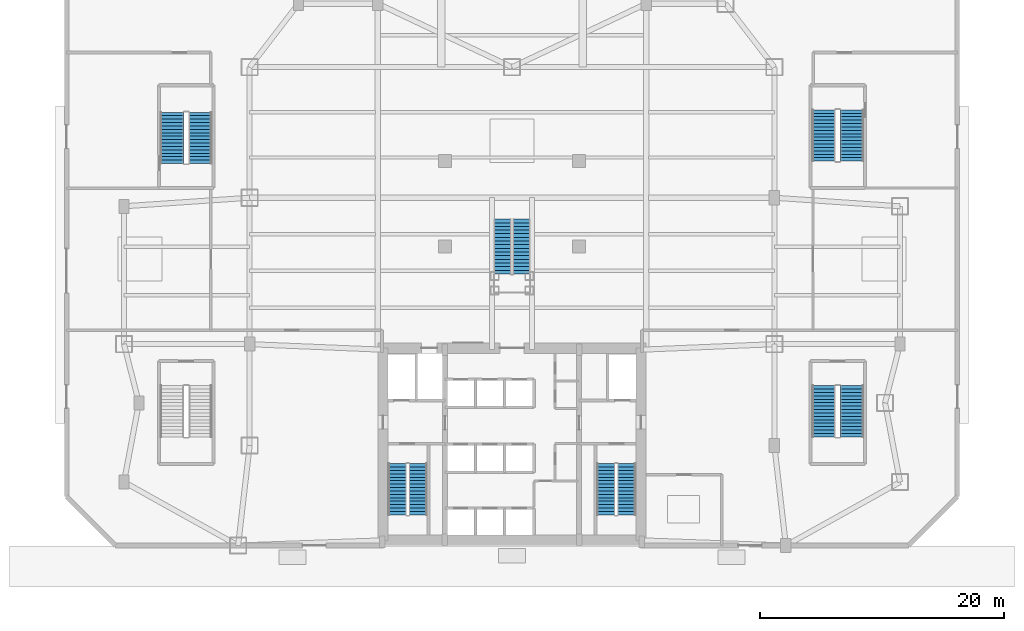
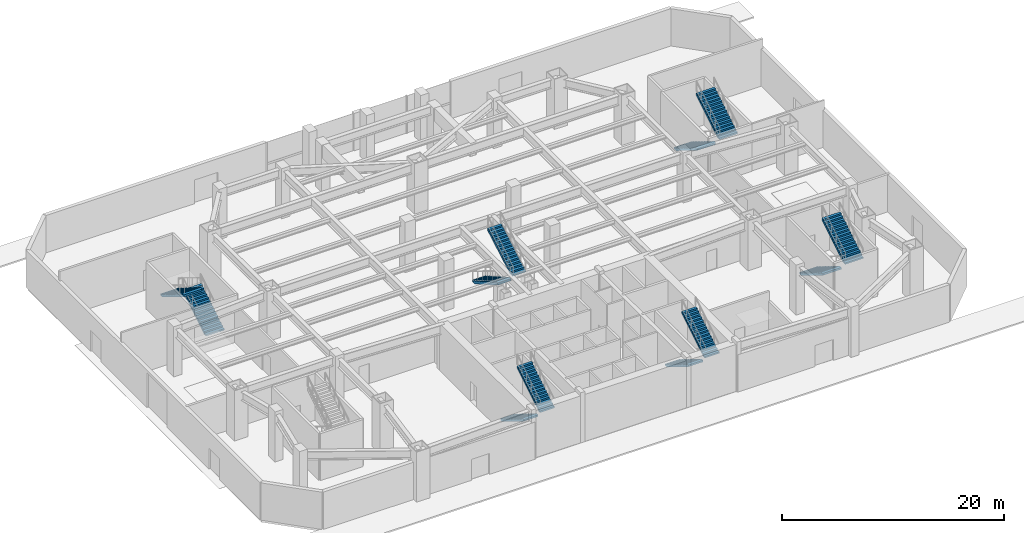
# One storey, part 8 of 11: 12 stair flights, 6 elements without a shape of their own.
"""IFC4 building model written with IfcOpenShell, lengths in metres."""

from ifc_helpers import new_model, si_unit, direction, frame, origin, place, context, subcontext, project, spatial, polyline, outline, extrude, material, type_object, element, aggregate, save


model = new_model("IFC4")

# Units and contexts
model_context = context("Model", 3, precision=1e-05, world=origin(), true_north=direction((0.0, 1.0)))
body_context = subcontext(model_context, "Body", "Model", "MODEL_VIEW")
ifc_project = project(units=[si_unit("LENGTHUNIT", "METRE"), si_unit("AREAUNIT", "SQUARE_METRE"), si_unit("VOLUMEUNIT", "CUBIC_METRE"), si_unit("PLANEANGLEUNIT", "RADIAN"), si_unit("MASSUNIT", "GRAM", prefix="KILO")], contexts=[model_context])

# Site, building, storey
site_placement = place(None, origin())
site = spatial("IfcSite", under=ifc_project, at=site_placement, CompositionType="ELEMENT")
building_placement = place(site_placement, origin())
building = spatial("IfcBuilding", under=site, at=building_placement, Name="Varnakhor Terracotta Tower", CompositionType="ELEMENT")
storey_placement = place(building_placement, origin())
storey = spatial("IfcBuildingStorey", under=building, at=storey_placement, Name="L00", CompositionType="ELEMENT", Elevation=0.0)

# Stair, stair flights
ifc_material_1 = material(Name="Concrete C40/50", Category="concrete")
stair_type_1 = type_object("IfcStairType", Name="STR-CORE-OFFICE-1500", PredefinedType="HALF_TURN_STAIR", material=ifc_material_1)
stair_1_placement = place(storey_placement, origin())
stair_1 = element("IfcStair", 1, at=stair_1_placement, inside=storey, type_object=stair_type_1, Name="L00 Core Exit Stair ST-1", PredefinedType="HALF_TURN_STAIR")
stair_flight_type_1 = type_object("IfcStairFlightType", Name="FLT-CORE-1500", PredefinedType="STRAIGHT", material=ifc_material_1)
stair_flight_1_placement = place(storey_placement, frame((-9.39990234375, 6.7099609375, 0.0), z_axis=(0.0, 0.0, 1.0), x_axis=(0.0, -1.0, 0.0)))
stair_flight_1 = element("IfcStairFlight", 2, at=stair_flight_1_placement, type_object=stair_flight_type_1, Name="ST-1 flight 1", NumberOfRisers=16, NumberOfTreads=15, PredefinedType="STRAIGHT", RiserHeight=0.171875, TreadLength=0.28, context=body_context, shape_type="SweptSolid", body=[
    extrude(outline(polyline([(0.0, 0.0), (0.0, 0.171875), (0.280029296875, 0.171875), (0.280029296875, 0.34375), (0.56005859375, 0.34375), (0.56005859375, 0.515625), (0.840087890625, 0.515625), (0.840087890625, 0.6875), (1.1201171875, 0.6875), (1.1201171875, 0.859375), (1.39990234375, 0.859375), (1.39990234375, 1.03125), (1.679931640625, 1.03125), (1.679931640625, 1.203125), (1.9599609375, 1.203125), (1.9599609375, 1.375), (2.239990234375, 1.375), (2.239990234375, 1.546875), (2.52001953125, 1.546875), (2.52001953125, 1.71875), (2.800048828125, 1.71875), (2.800048828125, 1.890625), (3.080078125, 1.890625), (3.080078125, 2.0625), (3.360107421875, 2.0625), (3.360107421875, 2.234375), (3.639892578125, 2.234375), (3.639892578125, 2.40625), (3.919921875, 2.40625), (3.919921875, 2.578125), (4.199951171875, 2.578125), (4.199951171875, 2.75), (4.199951171875, 2.390380859375), (0.3056640625, 0.0), (0.0, 0.0)])), frame((0.0, 0.75, 0.0), z_axis=(0.0, -1.0, 0.0), x_axis=(1.0, 0.0, 0.0)), (0.0, 0.0, 1.0), 1.5),
])
stair_flight_2_placement = place(storey_placement, frame((-7.699951171875, 2.510009765625, 2.75), z_axis=(0.0, 0.0, 1.0), x_axis=(0.0, 1.0, 0.0)))
stair_flight_2 = element("IfcStairFlight", 3, at=stair_flight_2_placement, type_object=stair_flight_type_1, Name="ST-1 flight 2", NumberOfRisers=16, NumberOfTreads=15, PredefinedType="STRAIGHT", RiserHeight=0.171875, TreadLength=0.28, context=body_context, shape_type="SweptSolid", body=[
    extrude(outline(polyline([(0.0, 0.0), (0.0, 0.171875), (0.280029296875, 0.171875), (0.280029296875, 0.34375), (0.56005859375, 0.34375), (0.56005859375, 0.515625), (0.840087890625, 0.515625), (0.840087890625, 0.6875), (1.1201171875, 0.6875), (1.1201171875, 0.859375), (1.39990234375, 0.859375), (1.39990234375, 1.03125), (1.679931640625, 1.03125), (1.679931640625, 1.203125), (1.9599609375, 1.203125), (1.9599609375, 1.375), (2.239990234375, 1.375), (2.239990234375, 1.546875), (2.52001953125, 1.546875), (2.52001953125, 1.71875), (2.800048828125, 1.71875), (2.800048828125, 1.890625), (3.080078125, 1.890625), (3.080078125, 2.0625), (3.360107421875, 2.0625), (3.360107421875, 2.234375), (3.639892578125, 2.234375), (3.639892578125, 2.40625), (3.919921875, 2.40625), (3.919921875, 2.578125), (4.199951171875, 2.578125), (4.199951171875, 2.75), (4.199951171875, 2.390380859375), (0.3056640625, 0.0), (0.0, 0.0)])), frame((0.0, 0.75, 0.0), z_axis=(0.0, -1.0, 0.0), x_axis=(1.0, 0.0, 0.0)), (0.0, 0.0, 1.0), 1.5),
])
aggregate(stair_1, [stair_flight_1, stair_flight_2])

stair_2_placement = place(storey_placement, origin())
stair_2 = element("IfcStair", 4, at=stair_2_placement, inside=storey, type_object=stair_type_1, Name="L00 Core Exit Stair ST-2", PredefinedType="HALF_TURN_STAIR")
stair_flight_3_placement = place(storey_placement, frame((7.699951171875, 6.7099609375, 0.0), z_axis=(0.0, 0.0, 1.0), x_axis=(0.0, -1.0, 0.0)))
stair_flight_3 = element("IfcStairFlight", 5, at=stair_flight_3_placement, type_object=stair_flight_type_1, Name="ST-2 flight 1", NumberOfRisers=16, NumberOfTreads=15, PredefinedType="STRAIGHT", RiserHeight=0.171875, TreadLength=0.28, context=body_context, shape_type="SweptSolid", body=[
    extrude(outline(polyline([(0.0, 0.0), (0.0, 0.171875), (0.280029296875, 0.171875), (0.280029296875, 0.34375), (0.56005859375, 0.34375), (0.56005859375, 0.515625), (0.840087890625, 0.515625), (0.840087890625, 0.6875), (1.1201171875, 0.6875), (1.1201171875, 0.859375), (1.39990234375, 0.859375), (1.39990234375, 1.03125), (1.679931640625, 1.03125), (1.679931640625, 1.203125), (1.9599609375, 1.203125), (1.9599609375, 1.375), (2.239990234375, 1.375), (2.239990234375, 1.546875), (2.52001953125, 1.546875), (2.52001953125, 1.71875), (2.800048828125, 1.71875), (2.800048828125, 1.890625), (3.080078125, 1.890625), (3.080078125, 2.0625), (3.360107421875, 2.0625), (3.360107421875, 2.234375), (3.639892578125, 2.234375), (3.639892578125, 2.40625), (3.919921875, 2.40625), (3.919921875, 2.578125), (4.199951171875, 2.578125), (4.199951171875, 2.75), (4.199951171875, 2.390380859375), (0.3056640625, 0.0), (0.0, 0.0)])), frame((0.0, 0.75, 0.0), z_axis=(0.0, -1.0, 0.0), x_axis=(1.0, 0.0, 0.0)), (0.0, 0.0, 1.0), 1.5),
])
stair_flight_4_placement = place(storey_placement, frame((9.39990234375, 2.510009765625, 2.75), z_axis=(0.0, 0.0, 1.0), x_axis=(0.0, 1.0, 0.0)))
stair_flight_4 = element("IfcStairFlight", 6, at=stair_flight_4_placement, type_object=stair_flight_type_1, Name="ST-2 flight 2", NumberOfRisers=16, NumberOfTreads=15, PredefinedType="STRAIGHT", RiserHeight=0.171875, TreadLength=0.28, context=body_context, shape_type="SweptSolid", body=[
    extrude(outline(polyline([(0.0, 0.0), (0.0, 0.171875), (0.280029296875, 0.171875), (0.280029296875, 0.34375), (0.56005859375, 0.34375), (0.56005859375, 0.515625), (0.840087890625, 0.515625), (0.840087890625, 0.6875), (1.1201171875, 0.6875), (1.1201171875, 0.859375), (1.39990234375, 0.859375), (1.39990234375, 1.03125), (1.679931640625, 1.03125), (1.679931640625, 1.203125), (1.9599609375, 1.203125), (1.9599609375, 1.375), (2.239990234375, 1.375), (2.239990234375, 1.546875), (2.52001953125, 1.546875), (2.52001953125, 1.71875), (2.800048828125, 1.71875), (2.800048828125, 1.890625), (3.080078125, 1.890625), (3.080078125, 2.0625), (3.360107421875, 2.0625), (3.360107421875, 2.234375), (3.639892578125, 2.234375), (3.639892578125, 2.40625), (3.919921875, 2.40625), (3.919921875, 2.578125), (4.199951171875, 2.578125), (4.199951171875, 2.75), (4.199951171875, 2.390380859375), (0.3056640625, 0.0), (0.0, 0.0)])), frame((0.0, 0.75, 0.0), z_axis=(0.0, -1.0, 0.0), x_axis=(1.0, 0.0, 0.0)), (0.0, 0.0, 1.0), 1.5),
])
aggregate(stair_2, [stair_flight_3, stair_flight_4])

ifc_material_2 = material(Name="Steel S355", Category="steel")
stair_type_2 = type_object("IfcStairType", Name="STR-FEATURE-2400", PredefinedType="STRAIGHT_RUN_STAIR", material=ifc_material_2)
stair_3_placement = place(storey_placement, origin())
stair_3 = element("IfcStair", 7, at=stair_3_placement, inside=storey, type_object=stair_type_2, Name="Podium Grand Feature Stair ST-F1", PredefinedType="HALF_TURN_STAIR")
stair_flight_type_2 = type_object("IfcStairFlightType", Name="FLT-FEATURE-2400", PredefinedType="STRAIGHT", material=ifc_material_2)
stair_flight_5_placement = place(storey_placement, frame((-0.780029296875, 26.75, 0.0), z_axis=(0.0, 0.0, 1.0), x_axis=(0.0, -1.0, 0.0)))
stair_flight_5 = element("IfcStairFlight", 8, at=stair_flight_5_placement, type_object=stair_flight_type_2, Name="ST-F1 flight 1", NumberOfRisers=16, NumberOfTreads=15, PredefinedType="STRAIGHT", RiserHeight=0.171875, TreadLength=0.3, context=body_context, shape_type="SweptSolid", body=[
    extrude(outline(polyline([(0.0, 0.0), (0.0, 0.171875), (0.300048828125, 0.171875), (0.300048828125, 0.34375), (0.60009765625, 0.34375), (0.60009765625, 0.515625), (0.89990234375, 0.515625), (0.89990234375, 0.6875), (1.199951171875, 0.6875), (1.199951171875, 0.859375), (1.5, 0.859375), (1.5, 1.03125), (1.800048828125, 1.03125), (1.800048828125, 1.203125), (2.10009765625, 1.203125), (2.10009765625, 1.375), (2.39990234375, 1.375), (2.39990234375, 1.546875), (2.699951171875, 1.546875), (2.699951171875, 1.71875), (3.0, 1.71875), (3.0, 1.890625), (3.300048828125, 1.890625), (3.300048828125, 2.0625), (3.60009765625, 2.0625), (3.60009765625, 2.234375), (3.89990234375, 2.234375), (3.89990234375, 2.40625), (4.199951171875, 2.40625), (4.199951171875, 2.578125), (4.5, 2.578125), (4.5, 2.75), (4.5, 2.32470703125), (0.4423828125, 0.0), (0.0, 0.0)])), frame((0.0, 0.699951171875, 0.0), z_axis=(0.0, -1.0, 0.0), x_axis=(1.0, 0.0, 0.0)), (0.0, 0.0, 1.0), 1.39990234375),
])
stair_flight_6_placement = place(storey_placement, frame((0.780029296875, 22.25, 2.75), z_axis=(0.0, 0.0, 1.0), x_axis=(0.0, 1.0, 0.0)))
stair_flight_6 = element("IfcStairFlight", 9, at=stair_flight_6_placement, type_object=stair_flight_type_2, Name="ST-F1 flight 2", NumberOfRisers=16, NumberOfTreads=15, PredefinedType="STRAIGHT", RiserHeight=0.171875, TreadLength=0.3, context=body_context, shape_type="SweptSolid", body=[
    extrude(outline(polyline([(0.0, 0.0), (0.0, 0.171875), (0.300048828125, 0.171875), (0.300048828125, 0.34375), (0.60009765625, 0.34375), (0.60009765625, 0.515625), (0.89990234375, 0.515625), (0.89990234375, 0.6875), (1.199951171875, 0.6875), (1.199951171875, 0.859375), (1.5, 0.859375), (1.5, 1.03125), (1.800048828125, 1.03125), (1.800048828125, 1.203125), (2.10009765625, 1.203125), (2.10009765625, 1.375), (2.39990234375, 1.375), (2.39990234375, 1.546875), (2.699951171875, 1.546875), (2.699951171875, 1.71875), (3.0, 1.71875), (3.0, 1.890625), (3.300048828125, 1.890625), (3.300048828125, 2.0625), (3.60009765625, 2.0625), (3.60009765625, 2.234375), (3.89990234375, 2.234375), (3.89990234375, 2.40625), (4.199951171875, 2.40625), (4.199951171875, 2.578125), (4.5, 2.578125), (4.5, 2.75), (4.5, 2.32470703125), (0.4423828125, 0.0), (0.0, 0.0)])), frame((0.0, 0.699951171875, 0.0), z_axis=(0.0, -1.0, 0.0), x_axis=(1.0, 0.0, 0.0)), (0.0, 0.0, 1.0), 1.39990234375),
])
aggregate(stair_3, [stair_flight_5, stair_flight_6])

stair_type_3 = type_object("IfcStairType", Name="STR-PODIUM-EXIT-2000", PredefinedType="HALF_TURN_STAIR", material=ifc_material_1)
stair_4_placement = place(storey_placement, origin())
stair_4 = element("IfcStair", 10, at=stair_4_placement, inside=storey, type_object=stair_type_3, Name="L00 Podium Assembly Exit Stair ST-P2", PredefinedType="HALF_TURN_STAIR")
stair_flight_type_3 = type_object("IfcStairFlightType", Name="FLT-PODIUM-2000", PredefinedType="STRAIGHT", material=ifc_material_1)
stair_flight_7_placement = place(storey_placement, frame((25.550048828125, 13.10009765625, 0.0), z_axis=(0.0, 0.0, 1.0), x_axis=(0.0, -1.0, 0.0)))
stair_flight_7 = element("IfcStairFlight", 11, at=stair_flight_7_placement, type_object=stair_flight_type_3, Name="ST-P2 flight 1", NumberOfRisers=16, NumberOfTreads=15, PredefinedType="STRAIGHT", RiserHeight=0.171875, TreadLength=0.28, context=body_context, shape_type="SweptSolid", body=[
    extrude(outline(polyline([(0.0, 0.0), (0.0, 0.171875), (0.280029296875, 0.171875), (0.280029296875, 0.34375), (0.56005859375, 0.34375), (0.56005859375, 0.515625), (0.840087890625, 0.515625), (0.840087890625, 0.6875), (1.1201171875, 0.6875), (1.1201171875, 0.859375), (1.39990234375, 0.859375), (1.39990234375, 1.03125), (1.679931640625, 1.03125), (1.679931640625, 1.203125), (1.9599609375, 1.203125), (1.9599609375, 1.375), (2.239990234375, 1.375), (2.239990234375, 1.546875), (2.52001953125, 1.546875), (2.52001953125, 1.71875), (2.800048828125, 1.71875), (2.800048828125, 1.890625), (3.080078125, 1.890625), (3.080078125, 2.0625), (3.360107421875, 2.0625), (3.360107421875, 2.234375), (3.639892578125, 2.234375), (3.639892578125, 2.40625), (3.919921875, 2.40625), (3.919921875, 2.578125), (4.199951171875, 2.578125), (4.199951171875, 2.75), (4.199951171875, 2.366943359375), (0.343994140625, 0.0), (0.0, 0.0)])), frame((0.0, 0.949951171875, 0.0), z_axis=(0.0, -1.0, 0.0), x_axis=(1.0, 0.0, 0.0)), (0.0, 0.0, 1.0), 1.89990234375),
])
stair_flight_8_placement = place(storey_placement, frame((27.85009765625, 8.89990234375, 2.75), z_axis=(0.0, 0.0, 1.0), x_axis=(0.0, 1.0, 0.0)))
stair_flight_8 = element("IfcStairFlight", 12, at=stair_flight_8_placement, type_object=stair_flight_type_3, Name="ST-P2 flight 2", NumberOfRisers=16, NumberOfTreads=15, PredefinedType="STRAIGHT", RiserHeight=0.171875, TreadLength=0.28, context=body_context, shape_type="SweptSolid", body=[
    extrude(outline(polyline([(0.0, 0.0), (0.0, 0.171875), (0.280029296875, 0.171875), (0.280029296875, 0.34375), (0.56005859375, 0.34375), (0.56005859375, 0.515625), (0.840087890625, 0.515625), (0.840087890625, 0.6875), (1.1201171875, 0.6875), (1.1201171875, 0.859375), (1.39990234375, 0.859375), (1.39990234375, 1.03125), (1.679931640625, 1.03125), (1.679931640625, 1.203125), (1.9599609375, 1.203125), (1.9599609375, 1.375), (2.239990234375, 1.375), (2.239990234375, 1.546875), (2.52001953125, 1.546875), (2.52001953125, 1.71875), (2.800048828125, 1.71875), (2.800048828125, 1.890625), (3.080078125, 1.890625), (3.080078125, 2.0625), (3.360107421875, 2.0625), (3.360107421875, 2.234375), (3.639892578125, 2.234375), (3.639892578125, 2.40625), (3.919921875, 2.40625), (3.919921875, 2.578125), (4.199951171875, 2.578125), (4.199951171875, 2.75), (4.199951171875, 2.366943359375), (0.343994140625, 0.0), (0.0, 0.0)])), frame((0.0, 0.949951171875, 0.0), z_axis=(0.0, -1.0, 0.0), x_axis=(1.0, 0.0, 0.0)), (0.0, 0.0, 1.0), 1.89990234375),
])
aggregate(stair_4, [stair_flight_7, stair_flight_8])

stair_5_placement = place(storey_placement, origin())
stair_5 = element("IfcStair", 13, at=stair_5_placement, inside=storey, type_object=stair_type_3, Name="L00 Podium Assembly Exit Stair ST-P3", PredefinedType="HALF_TURN_STAIR")
stair_flight_9_placement = place(storey_placement, frame((-25.550048828125, 31.300048828125, 0.0), z_axis=(0.0, 0.0, 1.0), x_axis=(0.0, 1.0, 0.0)))
stair_flight_9 = element("IfcStairFlight", 14, at=stair_flight_9_placement, type_object=stair_flight_type_3, Name="ST-P3 flight 1", NumberOfRisers=16, NumberOfTreads=15, PredefinedType="STRAIGHT", RiserHeight=0.171875, TreadLength=0.28, context=body_context, shape_type="SweptSolid", body=[
    extrude(outline(polyline([(0.0, 0.0), (0.0, 0.171875), (0.280029296875, 0.171875), (0.280029296875, 0.34375), (0.56005859375, 0.34375), (0.56005859375, 0.515625), (0.840087890625, 0.515625), (0.840087890625, 0.6875), (1.1201171875, 0.6875), (1.1201171875, 0.859375), (1.39990234375, 0.859375), (1.39990234375, 1.03125), (1.679931640625, 1.03125), (1.679931640625, 1.203125), (1.9599609375, 1.203125), (1.9599609375, 1.375), (2.239990234375, 1.375), (2.239990234375, 1.546875), (2.52001953125, 1.546875), (2.52001953125, 1.71875), (2.800048828125, 1.71875), (2.800048828125, 1.890625), (3.080078125, 1.890625), (3.080078125, 2.0625), (3.360107421875, 2.0625), (3.360107421875, 2.234375), (3.639892578125, 2.234375), (3.639892578125, 2.40625), (3.919921875, 2.40625), (3.919921875, 2.578125), (4.199951171875, 2.578125), (4.199951171875, 2.75), (4.199951171875, 2.366943359375), (0.343994140625, 0.0), (0.0, 0.0)])), frame((0.0, 0.949951171875, 0.0), z_axis=(0.0, -1.0, 0.0), x_axis=(1.0, 0.0, 0.0)), (0.0, 0.0, 1.0), 1.89990234375),
])
stair_flight_10_placement = place(storey_placement, frame((-27.85009765625, 35.5, 2.75), z_axis=(0.0, 0.0, 1.0), x_axis=(0.0, -1.0, 0.0)))
stair_flight_10 = element("IfcStairFlight", 15, at=stair_flight_10_placement, type_object=stair_flight_type_3, Name="ST-P3 flight 2", NumberOfRisers=16, NumberOfTreads=15, PredefinedType="STRAIGHT", RiserHeight=0.171875, TreadLength=0.28, context=body_context, shape_type="SweptSolid", body=[
    extrude(outline(polyline([(0.0, 0.0), (0.0, 0.171875), (0.280029296875, 0.171875), (0.280029296875, 0.34375), (0.56005859375, 0.34375), (0.56005859375, 0.515625), (0.840087890625, 0.515625), (0.840087890625, 0.6875), (1.1201171875, 0.6875), (1.1201171875, 0.859375), (1.39990234375, 0.859375), (1.39990234375, 1.03125), (1.679931640625, 1.03125), (1.679931640625, 1.203125), (1.9599609375, 1.203125), (1.9599609375, 1.375), (2.239990234375, 1.375), (2.239990234375, 1.546875), (2.52001953125, 1.546875), (2.52001953125, 1.71875), (2.800048828125, 1.71875), (2.800048828125, 1.890625), (3.080078125, 1.890625), (3.080078125, 2.0625), (3.360107421875, 2.0625), (3.360107421875, 2.234375), (3.639892578125, 2.234375), (3.639892578125, 2.40625), (3.919921875, 2.40625), (3.919921875, 2.578125), (4.199951171875, 2.578125), (4.199951171875, 2.75), (4.199951171875, 2.366943359375), (0.343994140625, 0.0), (0.0, 0.0)])), frame((0.0, 0.949951171875, 0.0), z_axis=(0.0, -1.0, 0.0), x_axis=(1.0, 0.0, 0.0)), (0.0, 0.0, 1.0), 1.89990234375),
])
aggregate(stair_5, [stair_flight_9, stair_flight_10])

stair_6_placement = place(storey_placement, origin())
stair_6 = element("IfcStair", 16, at=stair_6_placement, inside=storey, type_object=stair_type_3, Name="L00 Podium Assembly Exit Stair ST-P4", PredefinedType="HALF_TURN_STAIR")
stair_flight_11_placement = place(storey_placement, frame((25.550048828125, 35.699951171875, 0.0), z_axis=(0.0, 0.0, 1.0), x_axis=(0.0, -1.0, 0.0)))
stair_flight_11 = element("IfcStairFlight", 17, at=stair_flight_11_placement, type_object=stair_flight_type_3, Name="ST-P4 flight 1", NumberOfRisers=16, NumberOfTreads=15, PredefinedType="STRAIGHT", RiserHeight=0.171875, TreadLength=0.28, context=body_context, shape_type="SweptSolid", body=[
    extrude(outline(polyline([(0.0, 0.0), (0.0, 0.171875), (0.280029296875, 0.171875), (0.280029296875, 0.34375), (0.56005859375, 0.34375), (0.56005859375, 0.515625), (0.840087890625, 0.515625), (0.840087890625, 0.6875), (1.1201171875, 0.6875), (1.1201171875, 0.859375), (1.39990234375, 0.859375), (1.39990234375, 1.03125), (1.679931640625, 1.03125), (1.679931640625, 1.203125), (1.9599609375, 1.203125), (1.9599609375, 1.375), (2.239990234375, 1.375), (2.239990234375, 1.546875), (2.52001953125, 1.546875), (2.52001953125, 1.71875), (2.800048828125, 1.71875), (2.800048828125, 1.890625), (3.080078125, 1.890625), (3.080078125, 2.0625), (3.360107421875, 2.0625), (3.360107421875, 2.234375), (3.639892578125, 2.234375), (3.639892578125, 2.40625), (3.919921875, 2.40625), (3.919921875, 2.578125), (4.199951171875, 2.578125), (4.199951171875, 2.75), (4.199951171875, 2.366943359375), (0.343994140625, 0.0), (0.0, 0.0)])), frame((0.0, 0.949951171875, 0.0), z_axis=(0.0, -1.0, 0.0), x_axis=(1.0, 0.0, 0.0)), (0.0, 0.0, 1.0), 1.89990234375),
])
stair_flight_12_placement = place(storey_placement, frame((27.85009765625, 31.5, 2.75), z_axis=(0.0, 0.0, 1.0), x_axis=(0.0, 1.0, 0.0)))
stair_flight_12 = element("IfcStairFlight", 18, at=stair_flight_12_placement, type_object=stair_flight_type_3, Name="ST-P4 flight 2", NumberOfRisers=16, NumberOfTreads=15, PredefinedType="STRAIGHT", RiserHeight=0.171875, TreadLength=0.28, context=body_context, shape_type="SweptSolid", body=[
    extrude(outline(polyline([(0.0, 0.0), (0.0, 0.171875), (0.280029296875, 0.171875), (0.280029296875, 0.34375), (0.56005859375, 0.34375), (0.56005859375, 0.515625), (0.840087890625, 0.515625), (0.840087890625, 0.6875), (1.1201171875, 0.6875), (1.1201171875, 0.859375), (1.39990234375, 0.859375), (1.39990234375, 1.03125), (1.679931640625, 1.03125), (1.679931640625, 1.203125), (1.9599609375, 1.203125), (1.9599609375, 1.375), (2.239990234375, 1.375), (2.239990234375, 1.546875), (2.52001953125, 1.546875), (2.52001953125, 1.71875), (2.800048828125, 1.71875), (2.800048828125, 1.890625), (3.080078125, 1.890625), (3.080078125, 2.0625), (3.360107421875, 2.0625), (3.360107421875, 2.234375), (3.639892578125, 2.234375), (3.639892578125, 2.40625), (3.919921875, 2.40625), (3.919921875, 2.578125), (4.199951171875, 2.578125), (4.199951171875, 2.75), (4.199951171875, 2.366943359375), (0.343994140625, 0.0), (0.0, 0.0)])), frame((0.0, 0.949951171875, 0.0), z_axis=(0.0, -1.0, 0.0), x_axis=(1.0, 0.0, 0.0)), (0.0, 0.0, 1.0), 1.89990234375),
])
aggregate(stair_6, [stair_flight_11, stair_flight_12])

save(model, "model.ifc")
